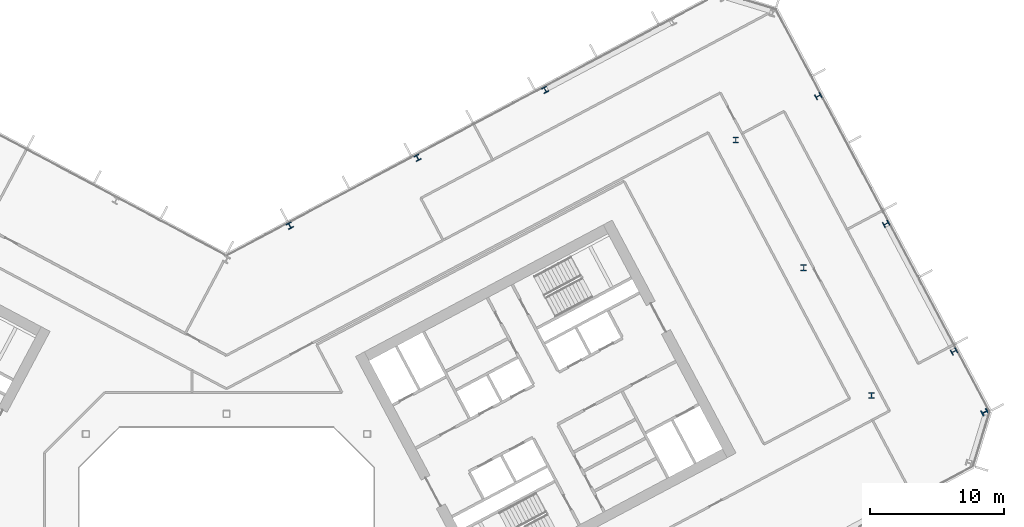
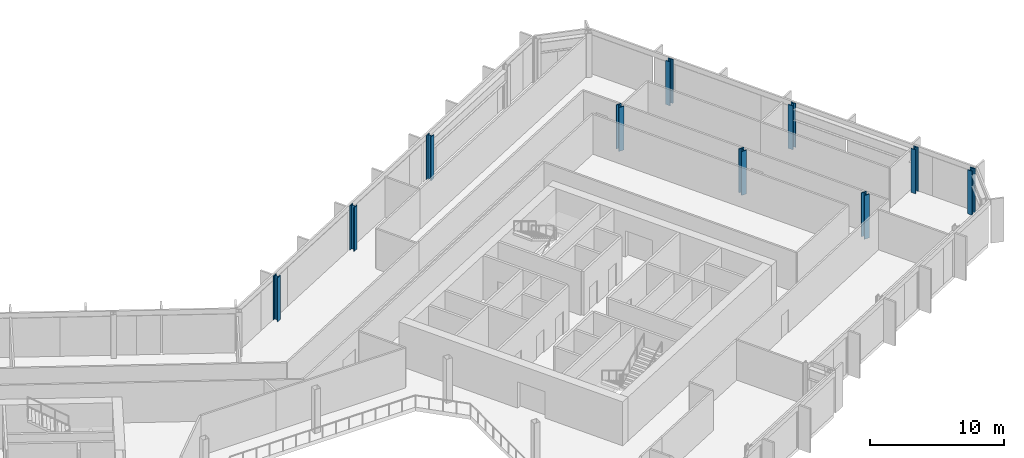
# One storey, part 7 of 28: 10 columns.
"""IFC4 building model written with IfcOpenShell, lengths in metres."""

from ifc_helpers import new_model, si_unit, direction, frame, origin, origin_2d, place, context, subcontext, project, spatial, i_section, extrude, material, material_profile, profile_set, type_object, element, save


model = new_model("IFC4")

# Units and contexts
model_context = context("Model", 3, precision=1e-05, world=origin(), true_north=direction((0.0, 1.0)))
body_context = subcontext(model_context, "Body", "Model", "MODEL_VIEW")
ifc_project = project(units=[si_unit("LENGTHUNIT", "METRE"), si_unit("AREAUNIT", "SQUARE_METRE"), si_unit("VOLUMEUNIT", "CUBIC_METRE"), si_unit("PLANEANGLEUNIT", "RADIAN"), si_unit("MASSUNIT", "GRAM", prefix="KILO")], contexts=[model_context])

# Site, building, storey
site_placement = place(None, origin())
site = spatial("IfcSite", under=ifc_project, at=site_placement, CompositionType="ELEMENT")
building_placement = place(site_placement, origin())
building = spatial("IfcBuilding", under=site, at=building_placement, Name="Cormorant Relay Tower", CompositionType="ELEMENT")
storey_placement = place(building_placement, frame((0.0, 0.0, 154.199951171875)))
storey = spatial("IfcBuildingStorey", under=building, at=storey_placement, Name="L32", CompositionType="ELEMENT", Elevation=154.199951171875)

# Columns
ifc_material_1 = material(Name="Steel ASTM A992 (Fy 345 MPa)", Category="steel")
ifc_material_profile_1 = material_profile(ifc_material_1, i_section(OverallWidth=0.41162109375, OverallDepth=0.434326171875, WebThickness=0.035888671875, FlangeThickness=0.057373046875, FilletRadius=0.01513671875, at=origin_2d()), Name="W360x463")
ifc_profile_set_1 = profile_set([ifc_material_profile_1], Name="Steel ASTM A992 (Fy 345 MPa)")
column_type_1 = type_object("IfcColumnType", Name="Column W360x463", PredefinedType="COLUMN", material=ifc_profile_set_1)
for number, where, z_axis, x_axis, name in (
    (1, (54.321044921875, 16.65087890625, 0.0), (0.0, 0.0, 1.0), (-0.469471562786, 0.882947592859, 0.0), "Column L32-029"),
    (2, (4.72509765625, 26.047119140625, 0.0), (0.0, 0.0, 1.0), (-0.882947592859, -0.469471562786, 0.0), "Column L32-034"),
    (3, (49.2509765625, 26.18701171875, 0.0), (0.0, 0.0, 1.0), (-0.469471562786, 0.882947592859, 0.0), "Column L32-035"),
    (4, (14.260986328125, 31.116943359375, 0.0), (0.0, 0.0, 1.0), (-0.882947592859, -0.469471562786, 0.0), "Column L32-038"),
    (5, (44.180908203125, 35.722900390625, 0.0), (0.0, 0.0, 1.0), (-0.469471562786, 0.882947592859, 0.0), "Column L32-042"),
    (6, (23.7958984375, 36.18798828125, 0.0), (0.0, 0.0, 1.0), (-0.882947592859, -0.469471562786, 0.0), "Column L32-043"),
):
    element("IfcColumn", number, at=place(storey_placement, frame(where, z_axis=z_axis, x_axis=x_axis)), inside=storey, type_object=column_type_1, Name=name, PredefinedType="COLUMN", context=body_context, shape_type="SweptSolid", body=[
        extrude(i_section(OverallWidth=0.41162109375, OverallDepth=0.434326171875, WebThickness=0.035888671875, FlangeThickness=0.057373046875, FilletRadius=0.01513671875, at=origin_2d()), origin(), (0.0, 0.0, 1.0), 4.0),
    ])
ifc_material_2 = material(Name="Steel ASTM A992 (Fy 345 MPa)", Category="steel")
ifc_material_profile_2 = material_profile(ifc_material_2, i_section(OverallWidth=0.42431640625, OverallDepth=0.47509765625, WebThickness=0.0478515625, FlangeThickness=0.0771484375, FilletRadius=0.014892578125, at=origin_2d()), Name="W360x634")
ifc_profile_set_2 = profile_set([ifc_material_profile_2], Name="Steel ASTM A992 (Fy 345 MPa)")
column_type_2 = type_object("IfcColumnType", Name="Column W360x634", PredefinedType="COLUMN", material=ifc_profile_set_2)
for number, where, z_axis, x_axis, name in (
    (7, (56.60791015625, 12.1298828125, 0.0), (0.0, 0.0, 1.0), (-0.469471562786, 0.882947592859, 0.0), "Column L32-026"),
    (8, (48.157958984375, 13.3740234375, 0.0), (0.0, 0.0, 1.0), (1.0, 0.0, 0.0), "Column L32-027"),
    (9, (43.087890625, 22.909912109375, 0.0), (0.0, 0.0, 1.0), (1.0, 0.0, 0.0), "Column L32-031"),
    (10, (38.01806640625, 32.446044921875, 0.0), (0.0, 0.0, 1.0), (1.0, 0.0, 0.0), "Column L32-039"),
):
    element("IfcColumn", number, at=place(storey_placement, frame(where, z_axis=z_axis, x_axis=x_axis)), inside=storey, type_object=column_type_2, Name=name, PredefinedType="COLUMN", context=body_context, shape_type="SweptSolid", body=[
        extrude(i_section(OverallWidth=0.42431640625, OverallDepth=0.47509765625, WebThickness=0.0478515625, FlangeThickness=0.0771484375, FilletRadius=0.014892578125, at=origin_2d()), origin(), (0.0, 0.0, 1.0), 4.0),
    ])

save(model, "model.ifc")
